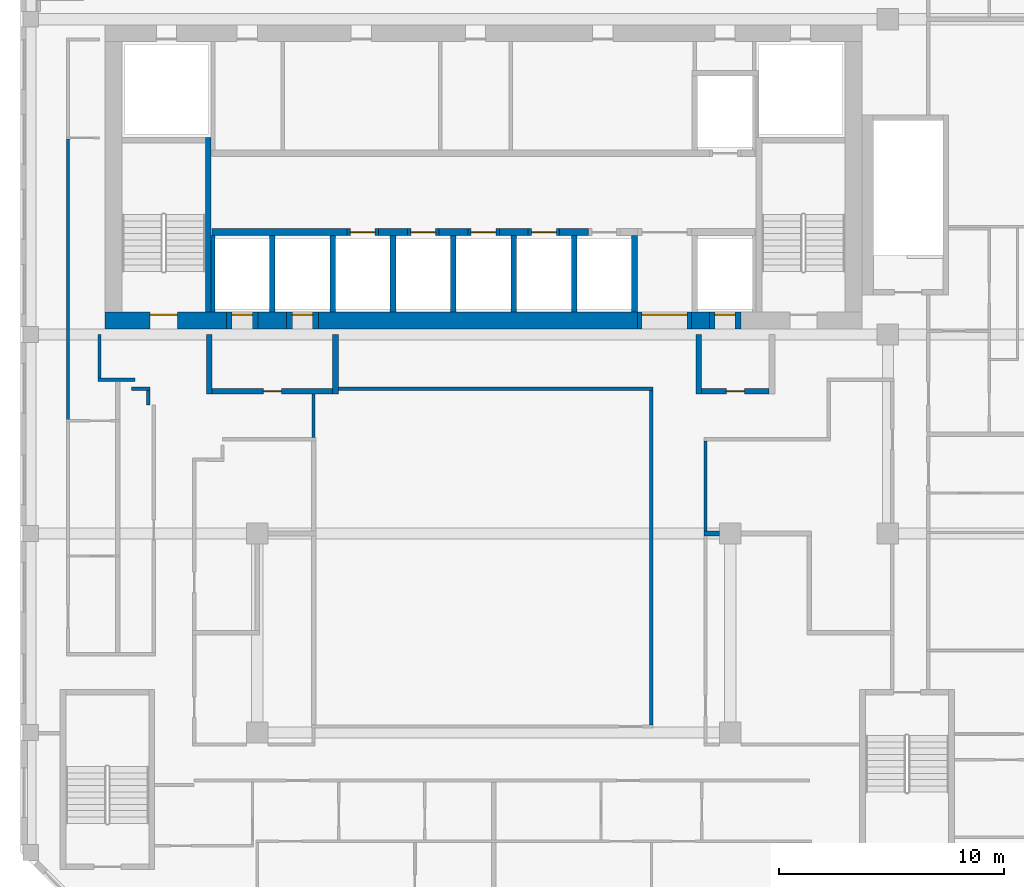
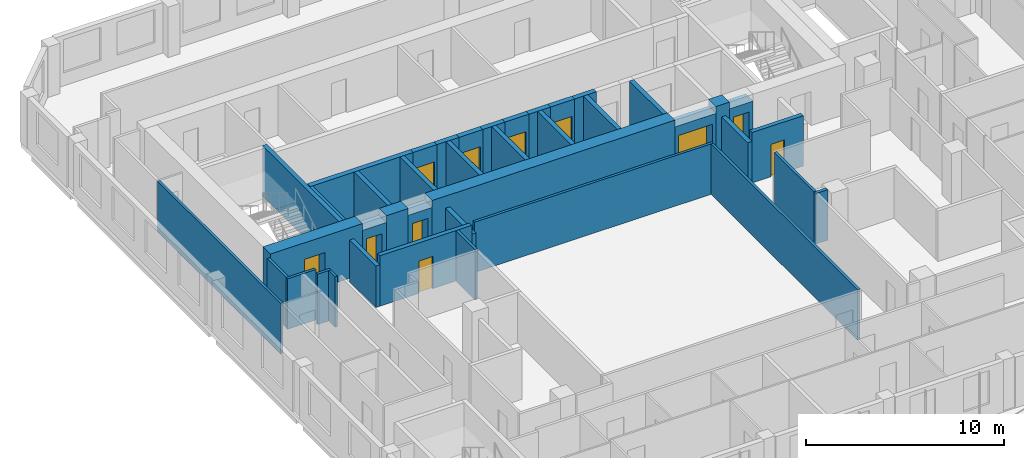
# One storey, part 4 of 18: 41 walls, 11 doors, 11 openings.
"""IFC4 building model written with IfcOpenShell, lengths in metres."""

from ifc_helpers import new_model, si_unit, direction, frame, frame_2d, origin, place, context, subcontext, project, spatial, rectangle, extrude, source, transform, mapped, material, layer, layer_set, type_object, element, fill, save


model = new_model("IFC4")

# Units and contexts
model_context = context("Model", 3, precision=1e-05, world=origin(), true_north=direction((0.0, 1.0)))
body_context = subcontext(model_context, "Body", "Model", "MODEL_VIEW")
ifc_project = project(units=[si_unit("LENGTHUNIT", "METRE"), si_unit("AREAUNIT", "SQUARE_METRE"), si_unit("VOLUMEUNIT", "CUBIC_METRE"), si_unit("PLANEANGLEUNIT", "RADIAN"), si_unit("MASSUNIT", "GRAM", prefix="KILO")], contexts=[model_context])

# Site, building, storey
site_placement = place(None, origin())
site = spatial("IfcSite", under=ifc_project, at=site_placement, CompositionType="ELEMENT")
building_placement = place(site_placement, origin())
building = spatial("IfcBuilding", under=site, at=building_placement, Name="Kilnfold Tower and Market Hall", CompositionType="ELEMENT")
storey_placement = place(building_placement, frame((0.0, 0.0, 256.0)))
storey = spatial("IfcBuildingStorey", under=building, at=storey_placement, Name="L62", CompositionType="ELEMENT", Elevation=256.0)

# Walls
ifc_material_1 = material(Name="Gypsum board on steel studs", Category="steel")
ifc_layer_1 = layer(ifc_material_1, 0.14990234375)
ifc_layer_set_1 = layer_set([ifc_layer_1], Name="Gypsum board on steel studs")
wall_type_1 = type_object("IfcWallType", Name="WALL CORRIDOR 150", PredefinedType="PARTITIONING", material=ifc_layer_set_1)
wall_1_placement = place(storey_placement, frame((-17.39990234375, 4.214111328125, 0.0), z_axis=(0.0, 0.0, 1.0), x_axis=(0.0, 1.0, 0.0)))
element("IfcWall", 1, at=wall_1_placement, inside=storey, type_object=wall_type_1, Name="Partition LY38.4", PredefinedType="PARTITIONING", context=body_context, shape_type="SweptSolid", body=[
    extrude(rectangle(XDim=12.476806640625, YDim=0.14990234375, at=frame_2d((6.23828125, 0.0))), origin(), (0.0, 0.0, 1.0), 3.1201171875),
])
wall_2_placement = place(storey_placement, frame((-16.074951171875, 6.0, 0.0), z_axis=(0.0, 0.0, 1.0), x_axis=(1.0, 0.0, 0.0)))
element("IfcWall", 2, at=wall_2_placement, inside=storey, type_object=wall_type_1, Name="Partition LY38.5", PredefinedType="PARTITIONING", context=body_context, shape_type="SweptSolid", body=[
    extrude(rectangle(XDim=1.64990234375, YDim=0.14990234375, at=frame_2d((0.824951171875, 0.0))), origin(), (0.0, 0.0, 1.0), 3.1201171875),
])
wall_3_placement = place(storey_placement, frame((-16.0, 6.074951171875, 0.0), z_axis=(0.0, 0.0, 1.0), x_axis=(0.0, 1.0, 0.0)))
element("IfcWall", 3, at=wall_3_placement, inside=storey, type_object=wall_type_1, Name="Partition LY38.6", PredefinedType="PARTITIONING", context=body_context, shape_type="SweptSolid", body=[
    extrude(rectangle(XDim=1.925048828125, YDim=0.14990234375, at=frame_2d((0.96240234375, 0.0))), origin(), (0.0, 0.0, 1.0), 3.1201171875),
])
wall_4_placement = place(storey_placement, frame((-13.843017578125, 5.52490234375, 0.0), z_axis=(0.0, 0.0, 1.0), x_axis=(0.0, -1.0, 0.0)))
element("IfcWall", 4, at=wall_4_placement, inside=storey, type_object=wall_type_1, Name="Partition LY38.29", PredefinedType="PARTITIONING", context=body_context, shape_type="SweptSolid", body=[
    extrude(rectangle(XDim=0.64599609375, YDim=0.14990234375, at=frame_2d((0.322998046875, 0.0))), origin(), (0.0, 0.0, 1.0), 3.1201171875),
])
wall_5_placement = place(storey_placement, frame((-14.574951171875, 5.60009765625, 0.0), z_axis=(0.0, 0.0, 1.0), x_axis=(1.0, 0.0, 0.0)))
element("IfcWall", 5, at=wall_5_placement, inside=storey, type_object=wall_type_1, Name="Partition LY38.30", PredefinedType="PARTITIONING", context=body_context, shape_type="SweptSolid", body=[
    extrude(rectangle(XDim=0.806884765625, YDim=0.14990234375, at=frame_2d((0.4033203125, 0.0))), origin(), (0.0, 0.0, 1.0), 3.1201171875),
])
wall_6_placement = place(storey_placement, frame((10.89990234375, -0.742919921875, 0.0), z_axis=(0.0, 0.0, 1.0), x_axis=(0.0, 1.0, 0.0)))
element("IfcWall", 6, at=wall_6_placement, inside=storey, type_object=wall_type_1, Name="Partition LY38.49", PredefinedType="PARTITIONING", context=body_context, shape_type="SweptSolid", body=[
    extrude(rectangle(XDim=4.017822265625, YDim=0.14990234375, at=frame_2d((2.0087890625, 0.0))), origin(), (0.0, 0.0, 1.0), 3.1201171875),
])
wall_7_placement = place(storey_placement, frame((-6.5, 3.425048828125, 0.0), z_axis=(0.0, 0.0, 1.0), x_axis=(0.0, 1.0, 0.0)))
element("IfcWall", 7, at=wall_7_placement, inside=storey, type_object=wall_type_1, Name="Partition LY38.50", PredefinedType="PARTITIONING", context=body_context, shape_type="SweptSolid", body=[
    extrude(rectangle(XDim=1.925048828125, YDim=0.14990234375, at=frame_2d((0.96240234375, 0.0))), origin(), (0.0, 0.0, 1.0), 3.1201171875),
])
wall_8_placement = place(storey_placement, frame((8.5, 5.52490234375, 0.0), z_axis=(0.0, 0.0, 1.0), x_axis=(0.0, -1.0, 0.0)))
element("IfcWall", 8, at=wall_8_placement, inside=storey, type_object=wall_type_1, Name="Partition LY38.52", PredefinedType="PARTITIONING", context=body_context, shape_type="SweptSolid", body=[
    extrude(rectangle(XDim=14.849853515625, YDim=0.14990234375, at=frame_2d((7.4248046875, 0.0))), origin(), (0.0, 0.0, 1.0), 3.1201171875),
])
wall_9_placement = place(storey_placement, frame((-5.39990234375, 5.60009765625, 0.0), z_axis=(0.0, 0.0, 1.0), x_axis=(1.0, 0.0, 0.0)))
element("IfcWall", 9, at=wall_9_placement, inside=storey, type_object=wall_type_1, Name="Partition LY38.53", PredefinedType="PARTITIONING", context=body_context, shape_type="SweptSolid", body=[
    extrude(rectangle(XDim=13.974853515625, YDim=0.14990234375, at=frame_2d((6.9873046875, 0.0))), origin(), (0.0, 0.0, 1.0), 3.1201171875),
])
ifc_material_2 = material(Name="Gypsum board on steel studs", Category="steel")
ifc_layer_2 = layer(ifc_material_2, 0.199951171875)
ifc_layer_set_2 = layer_set([ifc_layer_2], Name="Gypsum board on steel studs")
wall_type_2 = type_object("IfcWallType", Name="WALL PARTY 200", PredefinedType="PARTITIONING", material=ifc_layer_set_2)
wall_10_placement = place(storey_placement, frame((10.826904296875, -0.8330078125, 0.0), z_axis=(0.0, 0.0, 1.0), x_axis=(1.0, 0.0, 0.0)))
element("IfcWall", 10, at=wall_10_placement, inside=storey, type_object=wall_type_2, Name="Partition LY38.109", PredefinedType="PARTITIONING", context=body_context, shape_type="SweptSolid", body=[
    extrude(rectangle(XDim=0.697998046875, YDim=0.199951171875, at=frame_2d((0.34912109375, 0.0))), origin(), (0.0, 0.0, 1.0), 3.1201171875),
])
ifc_material_3 = material(Name="Concrete C60", Category="concrete")
ifc_layer_3 = layer(ifc_material_3, 0.25)
ifc_layer_set_3 = layer_set([ifc_layer_3], Name="Concrete C60")
wall_type_3 = type_object("IfcWallType", Name="CORE WALL 250 C60", PredefinedType="SHEAR", material=ifc_layer_set_3)
shared_shape_1 = source(origin(), body_context, "Body", "SweptSolid", [
    extrude(rectangle(XDim=7.75, YDim=0.25, at=frame_2d((3.875, 0.0))), origin(), (0.0, 0.0, 1.0), 3.1201171875),
])
wall_11_placement = place(storey_placement, frame((-11.175048828125, 9.0, 0.0), z_axis=(0.0, 0.0, 1.0), x_axis=(0.0, 1.0, 0.0)))
element("IfcWall", 11, at=wall_11_placement, inside=storey, type_object=wall_type_3, Name="Stair enclosure ST1", PredefinedType="SHEAR", context=body_context, shape_type="MappedRepresentation", body=[
    mapped(shared_shape_1, transform((0.0, 0.0, 0.0))),
])
ifc_material_4 = material(Name="Concrete C60", Category="concrete")
ifc_layer_4 = layer(ifc_material_4, 0.300048828125)
ifc_layer_set_4 = layer_set([ifc_layer_4], Name="Concrete C60")
wall_type_4 = type_object("IfcWallType", Name="CORE WALL 300 C60", PredefinedType="SHEAR", material=ifc_layer_set_4)
shared_shape_2 = source(origin(), body_context, "Body", "SweptSolid", [
    extrude(rectangle(XDim=6.0, YDim=0.300048828125, at=frame_2d((3.0, 0.0))), origin(), (0.0, 0.0, 1.0), 3.1201171875),
])
wall_12_placement = place(storey_placement, frame((-11.010009765625, 12.550048828125, 0.0), z_axis=(0.0, 0.0, 1.0), x_axis=(1.0, 0.0, 0.0)))
element("IfcWall", 12, at=wall_12_placement, inside=storey, type_object=wall_type_4, Name="Core spine wall", PredefinedType="SHEAR", context=body_context, shape_type="MappedRepresentation", body=[
    mapped(shared_shape_2, transform((0.0, 0.0, 0.0))),
])
shared_shape_3 = source(origin(), body_context, "Body", "SweptSolid", [
    extrude(rectangle(XDim=1.280029296875, YDim=0.300048828125, at=frame_2d((0.64013671875, 0.0))), origin(), (0.0, 0.0, 1.0), 3.1201171875),
])
for number, where, z_axis, x_axis, name in (
    (13, (-3.610107421875, 12.550048828125, 0.0), (0.0, 0.0, 1.0), (1.0, 0.0, 0.0), "Core spine wall"),
    (14, (-0.929931640625, 12.550048828125, 0.0), (0.0, 0.0, 1.0), (1.0, 0.0, 0.0), "Core spine wall"),
    (15, (1.75, 12.550048828125, 0.0), (0.0, 0.0, 1.0), (1.0, 0.0, 0.0), "Core spine wall"),
    (16, (4.429931640625, 12.550048828125, 0.0), (0.0, 0.0, 1.0), (1.0, 0.0, 0.0), "Core spine wall"),
):
    element("IfcWall", number, at=place(storey_placement, frame(where, z_axis=z_axis, x_axis=x_axis)), inside=storey, type_object=wall_type_4, Name=name, PredefinedType="SHEAR", context=body_context, shape_type="MappedRepresentation", body=[
        mapped(shared_shape_3, transform((0.0, 0.0, 0.0))),
    ])

# Wall, opening, door
ifc_material_5 = material(Name="Concrete C60", Category="concrete")
ifc_layer_5 = layer(ifc_material_5, 0.75)
ifc_layer_set_5 = layer_set([ifc_layer_5], Name="Concrete C60")
wall_type_5 = type_object("IfcWallType", Name="CORE WALL 750 C60", PredefinedType="SHEAR", material=ifc_layer_set_5)
shared_shape_4 = source(origin(), body_context, "Body", "SweptSolid", [
    extrude(rectangle(XDim=5.3798828125, YDim=0.75, at=frame_2d((2.68994140625, 0.0))), origin(), (0.0, 0.0, 1.0), 3.1201171875),
])
wall_13_placement = place(storey_placement, frame((-15.75, 8.625, 0.0), z_axis=(0.0, 0.0, 1.0), x_axis=(1.0, 0.0, 0.0)))
wall_13 = element("IfcWall", 17, at=wall_13_placement, inside=storey, type_object=wall_type_5, Name="Core outer wall south", PredefinedType="SHEAR", context=body_context, shape_type="MappedRepresentation", body=[
    mapped(shared_shape_4, transform((0.0, 0.0, 0.0))),
])
opening_1_placement = place(wall_13_placement, frame((2.0, 0.0, 0.0)))
opening_1 = element("IfcOpeningElement", 18, at=opening_1_placement, cuts=wall_13, Name="Opening SD1", PredefinedType="OPENING", context=body_context, shape_type="SweptSolid", body=[
    extrude(rectangle(XDim=1.199951171875, YDim=2.10009765625, at=frame_2d((0.60009765625, 1.050048828125))), frame((0.0, 0.385009765625, 0.0), z_axis=(0.0, -1.0, 0.0), x_axis=(1.0, 0.0, 0.0)), (0.0, 0.0, 1.0), 0.77001953125),
])
ifc_material_6 = material(Name="Steel door set with fire-resisting leaf", Category="steel")
door_type_1 = type_object("IfcDoorType", Name="STAIR FLOOR DOOR 1200X2100", OperationType="NOTDEFINED", PredefinedType="DOOR", material=ifc_material_6)
door_1_placement = place(opening_1_placement, origin())
door_1 = element("IfcDoor", 19, at=door_1_placement, inside=storey, type_object=door_type_1, Name="Exit stair ST1 door", OperationType="DOUBLE_DOOR_SINGLE_SWING", OverallHeight=2.10009765625, OverallWidth=1.199951171875, PredefinedType="DOOR", context=body_context, shape_type="SweptSolid", body=[
    extrude(rectangle(XDim=1.199951171875, YDim=2.10009765625, at=frame_2d((0.60009765625, 1.050048828125))), frame((0.0, 0.27978515625, 0.0), z_axis=(0.0, -1.0, 0.0), x_axis=(1.0, 0.0, 0.0)), (0.0, 0.0, 1.0), 0.050048828125),
])
fill(opening_1, door_1)

# Walls
shared_shape_5 = source(origin(), body_context, "Body", "SweptSolid", [
    extrude(rectangle(XDim=1.280029296875, YDim=0.75, at=frame_2d((0.64013671875, 0.0))), origin(), (0.0, 0.0, 1.0), 3.1201171875),
])
wall_14_placement = place(storey_placement, frame((-8.969970703125, 8.625, 0.0), z_axis=(0.0, 0.0, 1.0), x_axis=(1.0, 0.0, 0.0)))
element("IfcWall", 20, at=wall_14_placement, inside=storey, type_object=wall_type_5, Name="Core outer wall south", PredefinedType="SHEAR", context=body_context, shape_type="MappedRepresentation", body=[
    mapped(shared_shape_5, transform((0.0, 0.0, 0.0))),
])
shared_shape_6 = source(origin(), body_context, "Body", "SweptSolid", [
    extrude(rectangle(XDim=14.179931640625, YDim=0.75, at=frame_2d((7.08984375, 0.0))), origin(), (0.0, 0.0, 1.0), 3.1201171875),
])
wall_15_placement = place(storey_placement, frame((-6.2900390625, 8.625, 0.0), z_axis=(0.0, 0.0, 1.0), x_axis=(1.0, 0.0, 0.0)))
element("IfcWall", 21, at=wall_15_placement, inside=storey, type_object=wall_type_5, Name="Core outer wall south", PredefinedType="SHEAR", context=body_context, shape_type="MappedRepresentation", body=[
    mapped(shared_shape_6, transform((0.0, 0.0, 0.0))),
])
shared_shape_7 = source(origin(), body_context, "Body", "SweptSolid", [
    extrude(rectangle(XDim=0.780029296875, YDim=0.75, at=frame_2d((0.39013671875, 0.0))), origin(), (0.0, 0.0, 1.0), 3.1201171875),
])
wall_16_placement = place(storey_placement, frame((10.2900390625, 8.625, 0.0), z_axis=(0.0, 0.0, 1.0), x_axis=(1.0, 0.0, 0.0)))
element("IfcWall", 22, at=wall_16_placement, inside=storey, type_object=wall_type_5, Name="Core outer wall south", PredefinedType="SHEAR", context=body_context, shape_type="MappedRepresentation", body=[
    mapped(shared_shape_7, transform((0.0, 0.0, 0.0))),
])

# Wall, opening, door
ifc_material_7 = material(Name="Gypsum shaft wall system")
ifc_layer_6 = layer(ifc_material_7, 0.300048828125)
ifc_layer_set_6 = layer_set([ifc_layer_6], Name="Gypsum shaft wall system")
wall_type_6 = type_object("IfcWallType", Name="SHAFT WALL 300", PredefinedType="PARTITIONING", material=ifc_layer_set_6)
shared_shape_8 = source(origin(), body_context, "Body", "SweptSolid", [
    extrude(rectangle(XDim=1.39990234375, YDim=0.300048828125, at=frame_2d((0.699951171875, 0.0))), origin(), (0.0, 0.0, 1.0), 3.1201171875),
])
wall_17_placement = place(storey_placement, frame((-5.010009765625, 12.550048828125, 0.0), z_axis=(0.0, 0.0, 1.0), x_axis=(1.0, 0.0, 0.0)))
wall_17 = element("IfcWall", 23, at=wall_17_placement, inside=storey, type_object=wall_type_6, Name="Lift shaft front wall", PredefinedType="PARTITIONING", context=body_context, shape_type="MappedRepresentation", body=[
    mapped(shared_shape_8, transform((0.0, 0.0, 0.0))),
])
opening_2_placement = place(wall_17_placement, frame((0.14990234375, 0.0, 0.0)))
opening_2 = element("IfcOpeningElement", 24, at=opening_2_placement, cuts=wall_17, Name="Opening LD2", PredefinedType="OPENING", context=body_context, shape_type="SweptSolid", body=[
    extrude(rectangle(XDim=1.10009765625, YDim=2.10009765625, at=frame_2d((0.550048828125, 1.050048828125))), frame((0.0, 0.16015625, 0.0), z_axis=(0.0, -1.0, 0.0), x_axis=(1.0, 0.0, 0.0)), (0.0, 0.0, 1.0), 0.320068359375),
])
ifc_material_8 = material(Name="Steel door set with fire-resisting leaf", Category="steel")
door_type_2 = type_object("IfcDoorType", Name="LANDING DOOR 1100X2100", OperationType="NOTDEFINED", PredefinedType="DOOR", material=ifc_material_8)
door_2_placement = place(opening_2_placement, origin())
door_2 = element("IfcDoor", 25, at=door_2_placement, inside=storey, type_object=door_type_2, Name="Landing door HR1", OperationType="DOUBLE_DOOR_SLIDING", OverallHeight=2.10009765625, OverallWidth=1.10009765625, PredefinedType="DOOR", context=body_context, shape_type="SweptSolid", body=[
    extrude(rectangle(XDim=1.10009765625, YDim=2.10009765625, at=frame_2d((0.550048828125, 1.050048828125))), frame((0.0, 0.02490234375, 0.0), z_axis=(0.0, -1.0, 0.0), x_axis=(1.0, 0.0, 0.0)), (0.0, 0.0, 1.0), 0.050048828125),
])
fill(opening_2, door_2)

wall_18_placement = place(storey_placement, frame((0.35009765625, 12.550048828125, 0.0), z_axis=(0.0, 0.0, 1.0), x_axis=(1.0, 0.0, 0.0)))
wall_18 = element("IfcWall", 26, at=wall_18_placement, inside=storey, type_object=wall_type_6, Name="Lift shaft front wall", PredefinedType="PARTITIONING", context=body_context, shape_type="MappedRepresentation", body=[
    mapped(shared_shape_8, transform((0.0, 0.0, 0.0))),
])
opening_3_placement = place(wall_18_placement, frame((0.14990234375, 0.0, 0.0)))
opening_3 = element("IfcOpeningElement", 27, at=opening_3_placement, cuts=wall_18, Name="Opening LD2", PredefinedType="OPENING", context=body_context, shape_type="SweptSolid", body=[
    extrude(rectangle(XDim=1.10009765625, YDim=2.10009765625, at=frame_2d((0.550048828125, 1.050048828125))), frame((0.0, 0.16015625, 0.0), z_axis=(0.0, -1.0, 0.0), x_axis=(1.0, 0.0, 0.0)), (0.0, 0.0, 1.0), 0.320068359375),
])
door_3_placement = place(opening_3_placement, origin())
door_3 = element("IfcDoor", 28, at=door_3_placement, inside=storey, type_object=door_type_2, Name="Landing door HR3", OperationType="DOUBLE_DOOR_SLIDING", OverallHeight=2.10009765625, OverallWidth=1.10009765625, PredefinedType="DOOR", context=body_context, shape_type="SweptSolid", body=[
    extrude(rectangle(XDim=1.10009765625, YDim=2.10009765625, at=frame_2d((0.550048828125, 1.050048828125))), frame((0.0, 0.02490234375, 0.0), z_axis=(0.0, -1.0, 0.0), x_axis=(1.0, 0.0, 0.0)), (0.0, 0.0, 1.0), 0.050048828125),
])
fill(opening_3, door_3)

wall_19_placement = place(storey_placement, frame((3.030029296875, 12.550048828125, 0.0), z_axis=(0.0, 0.0, 1.0), x_axis=(1.0, 0.0, 0.0)))
wall_19 = element("IfcWall", 29, at=wall_19_placement, inside=storey, type_object=wall_type_6, Name="Lift shaft front wall", PredefinedType="PARTITIONING", context=body_context, shape_type="MappedRepresentation", body=[
    mapped(shared_shape_8, transform((0.0, 0.0, 0.0))),
])
opening_4_placement = place(wall_19_placement, frame((0.14990234375, 0.0, 0.0)))
opening_4 = element("IfcOpeningElement", 30, at=opening_4_placement, cuts=wall_19, Name="Opening LD2", PredefinedType="OPENING", context=body_context, shape_type="SweptSolid", body=[
    extrude(rectangle(XDim=1.10009765625, YDim=2.10009765625, at=frame_2d((0.550048828125, 1.050048828125))), frame((0.0, 0.16015625, 0.0), z_axis=(0.0, -1.0, 0.0), x_axis=(1.0, 0.0, 0.0)), (0.0, 0.0, 1.0), 0.320068359375),
])
door_4_placement = place(opening_4_placement, origin())
door_4 = element("IfcDoor", 31, at=door_4_placement, inside=storey, type_object=door_type_2, Name="Landing door HR4", OperationType="DOUBLE_DOOR_SLIDING", OverallHeight=2.10009765625, OverallWidth=1.10009765625, PredefinedType="DOOR", context=body_context, shape_type="SweptSolid", body=[
    extrude(rectangle(XDim=1.10009765625, YDim=2.10009765625, at=frame_2d((0.550048828125, 1.050048828125))), frame((0.0, 0.02490234375, 0.0), z_axis=(0.0, -1.0, 0.0), x_axis=(1.0, 0.0, 0.0)), (0.0, 0.0, 1.0), 0.050048828125),
])
fill(opening_4, door_4)

shared_shape_9 = source(origin(), body_context, "Body", "SweptSolid", [
    extrude(rectangle(XDim=1.400146484375, YDim=0.300048828125, at=frame_2d((0.7001953125, 0.0))), origin(), (0.0, 0.0, 1.0), 3.1201171875),
])
wall_20_placement = place(storey_placement, frame((-2.330078125, 12.550048828125, 0.0), z_axis=(0.0, 0.0, 1.0), x_axis=(1.0, 0.0, 0.0)))
wall_20 = element("IfcWall", 32, at=wall_20_placement, inside=storey, type_object=wall_type_6, Name="Lift shaft front wall", PredefinedType="PARTITIONING", context=body_context, shape_type="MappedRepresentation", body=[
    mapped(shared_shape_9, transform((0.0, 0.0, 0.0))),
])
opening_5_placement = place(wall_20_placement, frame((0.14990234375, 0.0, 0.0)))
opening_5 = element("IfcOpeningElement", 33, at=opening_5_placement, cuts=wall_20, Name="Opening LD2", PredefinedType="OPENING", context=body_context, shape_type="SweptSolid", body=[
    extrude(rectangle(XDim=1.10009765625, YDim=2.10009765625, at=frame_2d((0.550048828125, 1.050048828125))), frame((0.0, 0.16015625, 0.0), z_axis=(0.0, -1.0, 0.0), x_axis=(1.0, 0.0, 0.0)), (0.0, 0.0, 1.0), 0.320068359375),
])
door_5_placement = place(opening_5_placement, origin())
door_5 = element("IfcDoor", 34, at=door_5_placement, inside=storey, type_object=door_type_2, Name="Landing door HR2", OperationType="DOUBLE_DOOR_SLIDING", OverallHeight=2.10009765625, OverallWidth=1.10009765625, PredefinedType="DOOR", context=body_context, shape_type="SweptSolid", body=[
    extrude(rectangle(XDim=1.10009765625, YDim=2.10009765625, at=frame_2d((0.550048828125, 1.050048828125))), frame((0.0, 0.02490234375, 0.0), z_axis=(0.0, -1.0, 0.0), x_axis=(1.0, 0.0, 0.0)), (0.0, 0.0, 1.0), 0.050048828125),
])
fill(opening_5, door_5)

ifc_material_9 = material(Name="Gypsum shaft wall system")
ifc_layer_7 = layer(ifc_material_9, 0.25)
ifc_layer_set_7 = layer_set([ifc_layer_7], Name="Gypsum shaft wall system")
wall_type_7 = type_object("IfcWallType", Name="LOBBY WALL 250", PredefinedType="PARTITIONING", material=ifc_layer_set_7)
shared_shape_10 = source(origin(), body_context, "Body", "SweptSolid", [
    extrude(rectangle(XDim=5.360107421875, YDim=0.25, at=frame_2d((2.68017578125, 0.0))), origin(), (0.0, 0.0, 1.0), 3.1201171875),
])
wall_21_placement = place(storey_placement, frame((-11.010009765625, 5.47509765625, 0.0), z_axis=(0.0, 0.0, 1.0), x_axis=(1.0, 0.0, 0.0)))
wall_21 = element("IfcWall", 35, at=wall_21_placement, inside=storey, type_object=wall_type_7, Name="Firefighting lobby wall", PredefinedType="PARTITIONING", context=body_context, shape_type="MappedRepresentation", body=[
    mapped(shared_shape_10, transform((0.0, 0.0, 0.0))),
])
opening_6_placement = place(wall_21_placement, frame((2.280029296875, 0.0, 0.0)))
opening_6 = element("IfcOpeningElement", 36, at=opening_6_placement, cuts=wall_21, Name="Opening VD1", PredefinedType="OPENING", context=body_context, shape_type="SweptSolid", body=[
    extrude(rectangle(XDim=0.800048828125, YDim=2.0, at=frame_2d((0.39990234375, 1.0))), frame((0.0, 0.135009765625, 0.0), z_axis=(0.0, -1.0, 0.0), x_axis=(1.0, 0.0, 0.0)), (0.0, 0.0, 1.0), 0.27001953125),
])
ifc_material_10 = material(Name="Steel door set with fire-resisting leaf", Category="steel")
door_type_3 = type_object("IfcDoorType", Name="FIREFIGHTING LOBBY DOOR 800X2000", OperationType="NOTDEFINED", PredefinedType="DOOR", material=ifc_material_10)
door_6_placement = place(opening_6_placement, origin())
door_6 = element("IfcDoor", 37, at=door_6_placement, inside=storey, type_object=door_type_3, Name="Firefighting lobby door", OperationType="SINGLE_SWING_LEFT", OverallHeight=2.0, OverallWidth=0.800048828125, PredefinedType="DOOR", context=body_context, shape_type="SweptSolid", body=[
    extrude(rectangle(XDim=0.800048828125, YDim=2.0, at=frame_2d((0.39990234375, 1.0))), frame((0.0, 0.02490234375, 0.0), z_axis=(0.0, -1.0, 0.0), x_axis=(1.0, 0.0, 0.0)), (0.0, 0.0, 1.0), 0.050048828125),
])
fill(opening_6, door_6)

shared_shape_11 = source(origin(), body_context, "Body", "SweptSolid", [
    extrude(rectangle(XDim=3.0, YDim=0.25, at=frame_2d((1.5, 0.0))), origin(), (0.0, 0.0, 1.0), 3.1201171875),
])
wall_22_placement = place(storey_placement, frame((10.72998046875, 5.47509765625, 0.0), z_axis=(0.0, 0.0, 1.0), x_axis=(1.0, 0.0, 0.0)))
wall_22 = element("IfcWall", 38, at=wall_22_placement, inside=storey, type_object=wall_type_7, Name="Firefighting lobby wall", PredefinedType="PARTITIONING", context=body_context, shape_type="MappedRepresentation", body=[
    mapped(shared_shape_11, transform((0.0, 0.0, 0.0))),
])
opening_7_placement = place(wall_22_placement, frame((1.10009765625, 0.0, 0.0)))
opening_7 = element("IfcOpeningElement", 39, at=opening_7_placement, cuts=wall_22, Name="Opening VD1", PredefinedType="OPENING", context=body_context, shape_type="SweptSolid", body=[
    extrude(rectangle(XDim=0.800048828125, YDim=2.0, at=frame_2d((0.39990234375, 1.0))), frame((0.0, 0.135009765625, 0.0), z_axis=(0.0, -1.0, 0.0), x_axis=(1.0, 0.0, 0.0)), (0.0, 0.0, 1.0), 0.27001953125),
])
door_7_placement = place(opening_7_placement, origin())
door_7 = element("IfcDoor", 40, at=door_7_placement, inside=storey, type_object=door_type_3, Name="Firefighting lobby door", OperationType="SINGLE_SWING_RIGHT", OverallHeight=2.0, OverallWidth=0.800048828125, PredefinedType="DOOR", context=body_context, shape_type="SweptSolid", body=[
    extrude(rectangle(XDim=0.800048828125, YDim=2.0, at=frame_2d((0.39990234375, 1.0))), frame((0.0, 0.02490234375, 0.0), z_axis=(0.0, -1.0, 0.0), x_axis=(1.0, 0.0, 0.0)), (0.0, 0.0, 1.0), 0.050048828125),
])
fill(opening_7, door_7)

# Walls
ifc_material_11 = material(Name="Gypsum shaft wall system")
ifc_layer_8 = layer(ifc_material_11, 0.25)
ifc_layer_set_8 = layer_set([ifc_layer_8], Name="Gypsum shaft wall system")
wall_type_8 = type_object("IfcWallType", Name="SHAFT WALL 250", PredefinedType="PARTITIONING", material=ifc_layer_set_8)
shared_shape_12 = source(origin(), body_context, "Body", "SweptSolid", [
    extrude(rectangle(XDim=3.39990234375, YDim=0.25, at=frame_2d((1.699951171875, 0.0))), origin(), (0.0, 0.0, 1.0), 3.1201171875),
])
for number, where, z_axis, x_axis, name in (
    (41, (2.389892578125, 9.0, 0.0), (0.0, 0.0, 1.0), (0.0, 1.0, 0.0), "Lift shaft wall"),
    (42, (5.070068359375, 9.0, 0.0), (0.0, 0.0, 1.0), (0.0, 1.0, 0.0), "Lift shaft wall"),
    (43, (7.75, 9.0, 0.0), (0.0, 0.0, 1.0), (0.0, 1.0, 0.0), "Lift shaft wall"),
    (44, (-0.2900390625, 9.0, 0.0), (0.0, 0.0, 1.0), (0.0, 1.0, 0.0), "Lift shaft wall"),
    (45, (-2.969970703125, 9.0, 0.0), (0.0, 0.0, 1.0), (0.0, 1.0, 0.0), "Lift shaft wall"),
    (46, (-5.64990234375, 9.0, 0.0), (0.0, 0.0, 1.0), (0.0, 1.0, 0.0), "Lift shaft wall"),
    (47, (-8.330078125, 9.0, 0.0), (0.0, 0.0, 1.0), (0.0, 1.0, 0.0), "Lift shaft wall"),
):
    element("IfcWall", number, at=place(storey_placement, frame(where, z_axis=z_axis, x_axis=x_axis)), inside=storey, type_object=wall_type_8, Name=name, PredefinedType="PARTITIONING", context=body_context, shape_type="MappedRepresentation", body=[
        mapped(shared_shape_12, transform((0.0, 0.0, 0.0))),
    ])
ifc_material_12 = material(Name="Gypsum shaft wall system")
ifc_layer_9 = layer(ifc_material_12, 0.1650390625)
ifc_layer_set_9 = layer_set([ifc_layer_9], Name="Gypsum shaft wall system")
wall_type_9 = type_object("IfcWallType", Name="SHAFT WALL 165", PredefinedType="PARTITIONING", material=ifc_layer_set_9)
shared_shape_13 = source(origin(), body_context, "Body", "SweptSolid", [
    extrude(rectangle(XDim=3.39990234375, YDim=0.1650390625, at=frame_2d((1.699951171875, 0.0))), origin(), (0.0, 0.0, 1.0), 3.1201171875),
])
wall_23_placement = place(storey_placement, frame((-10.967529296875, 9.0, 0.0), z_axis=(0.0, 0.0, 1.0), x_axis=(0.0, 1.0, 0.0)))
element("IfcWall", 48, at=wall_23_placement, inside=storey, type_object=wall_type_9, Name="Lift shaft wall", PredefinedType="PARTITIONING", context=body_context, shape_type="MappedRepresentation", body=[
    mapped(shared_shape_13, transform((0.0, 0.0, 0.0))),
])

# Wall, opening, door
ifc_material_13 = material(Name="Gypsum shaft wall system")
ifc_layer_10 = layer(ifc_material_13, 0.75)
ifc_layer_set_10 = layer_set([ifc_layer_10], Name="Gypsum shaft wall system")
wall_type_10 = type_object("IfcWallType", Name="LOBBY WALL 750", PredefinedType="PARTITIONING", material=ifc_layer_set_10)
shared_shape_14 = source(origin(), body_context, "Body", "SweptSolid", [
    extrude(rectangle(XDim=1.400146484375, YDim=0.75, at=frame_2d((0.7001953125, 0.0))), origin(), (0.0, 0.0, 1.0), 2.699951171875),
])
wall_24_placement = place(storey_placement, frame((-10.3701171875, 8.625, 0.0), z_axis=(0.0, 0.0, 1.0), x_axis=(1.0, 0.0, 0.0)))
wall_24 = element("IfcWall", 49, at=wall_24_placement, inside=storey, type_object=wall_type_10, Name="Core wall infill", PredefinedType="PARTITIONING", context=body_context, shape_type="MappedRepresentation", body=[
    mapped(shared_shape_14, transform((0.0, 0.0, 0.0))),
])
opening_8_placement = place(wall_24_placement, frame((0.25, 0.0, 0.0)))
opening_8 = element("IfcOpeningElement", 50, at=opening_8_placement, cuts=wall_24, Name="Opening LD1", PredefinedType="OPENING", context=body_context, shape_type="SweptSolid", body=[
    extrude(rectangle(XDim=0.89990234375, YDim=2.10009765625, at=frame_2d((0.449951171875, 1.050048828125))), frame((0.0, 0.385009765625, 0.0), z_axis=(0.0, -1.0, 0.0), x_axis=(1.0, 0.0, 0.0)), (0.0, 0.0, 1.0), 0.77001953125),
])
ifc_material_14 = material(Name="Steel door set with fire-resisting leaf", Category="steel")
door_type_4 = type_object("IfcDoorType", Name="FIREFIGHTING LANDING DOOR 900X2100", OperationType="NOTDEFINED", PredefinedType="DOOR", material=ifc_material_14)
door_8_placement = place(opening_8_placement, origin())
door_8 = element("IfcDoor", 51, at=door_8_placement, inside=storey, type_object=door_type_4, Name="Landing door FF1", OperationType="SLIDING_TO_LEFT", OverallHeight=2.10009765625, OverallWidth=0.89990234375, PredefinedType="DOOR", context=body_context, shape_type="SweptSolid", body=[
    extrude(rectangle(XDim=0.89990234375, YDim=2.10009765625, at=frame_2d((0.449951171875, 1.050048828125))), frame((0.0, 0.27978515625, 0.0), z_axis=(0.0, -1.0, 0.0), x_axis=(1.0, 0.0, 0.0)), (0.0, 0.0, 1.0), 0.050048828125),
])
fill(opening_8, door_8)

shared_shape_15 = source(origin(), body_context, "Body", "SweptSolid", [
    extrude(rectangle(XDim=1.39990234375, YDim=0.75, at=frame_2d((0.699951171875, 0.0))), origin(), (0.0, 0.0, 1.0), 2.699951171875),
])
wall_25_placement = place(storey_placement, frame((-7.68994140625, 8.625, 0.0), z_axis=(0.0, 0.0, 1.0), x_axis=(1.0, 0.0, 0.0)))
wall_25 = element("IfcWall", 52, at=wall_25_placement, inside=storey, type_object=wall_type_10, Name="Core wall infill", PredefinedType="PARTITIONING", context=body_context, shape_type="MappedRepresentation", body=[
    mapped(shared_shape_15, transform((0.0, 0.0, 0.0))),
])
opening_9_placement = place(wall_25_placement, frame((0.25, 0.0, 0.0)))
opening_9 = element("IfcOpeningElement", 53, at=opening_9_placement, cuts=wall_25, Name="Opening LD1", PredefinedType="OPENING", context=body_context, shape_type="SweptSolid", body=[
    extrude(rectangle(XDim=0.89990234375, YDim=2.10009765625, at=frame_2d((0.449951171875, 1.050048828125))), frame((0.0, 0.385009765625, 0.0), z_axis=(0.0, -1.0, 0.0), x_axis=(1.0, 0.0, 0.0)), (0.0, 0.0, 1.0), 0.77001953125),
])
door_9_placement = place(opening_9_placement, origin())
door_9 = element("IfcDoor", 54, at=door_9_placement, inside=storey, type_object=door_type_4, Name="Landing door FF2", OperationType="SLIDING_TO_RIGHT", OverallHeight=2.10009765625, OverallWidth=0.89990234375, PredefinedType="DOOR", context=body_context, shape_type="SweptSolid", body=[
    extrude(rectangle(XDim=0.89990234375, YDim=2.10009765625, at=frame_2d((0.449951171875, 1.050048828125))), frame((0.0, 0.27978515625, 0.0), z_axis=(0.0, -1.0, 0.0), x_axis=(1.0, 0.0, 0.0)), (0.0, 0.0, 1.0), 0.050048828125),
])
fill(opening_9, door_9)

wall_26_placement = place(storey_placement, frame((11.070068359375, 8.625, 0.0), z_axis=(0.0, 0.0, 1.0), x_axis=(1.0, 0.0, 0.0)))
wall_26 = element("IfcWall", 55, at=wall_26_placement, inside=storey, type_object=wall_type_10, Name="Core wall infill", PredefinedType="PARTITIONING", context=body_context, shape_type="MappedRepresentation", body=[
    mapped(shared_shape_15, transform((0.0, 0.0, 0.0))),
])
opening_10_placement = place(wall_26_placement, frame((0.25, 0.0, 0.0)))
opening_10 = element("IfcOpeningElement", 56, at=opening_10_placement, cuts=wall_26, Name="Opening LD1", PredefinedType="OPENING", context=body_context, shape_type="SweptSolid", body=[
    extrude(rectangle(XDim=0.89990234375, YDim=2.10009765625, at=frame_2d((0.449951171875, 1.050048828125))), frame((0.0, 0.385009765625, 0.0), z_axis=(0.0, -1.0, 0.0), x_axis=(1.0, 0.0, 0.0)), (0.0, 0.0, 1.0), 0.77001953125),
])
door_10_placement = place(opening_10_placement, origin())
door_10 = element("IfcDoor", 57, at=door_10_placement, inside=storey, type_object=door_type_4, Name="Landing door FF3", OperationType="SLIDING_TO_LEFT", OverallHeight=2.10009765625, OverallWidth=0.89990234375, PredefinedType="DOOR", context=body_context, shape_type="SweptSolid", body=[
    extrude(rectangle(XDim=0.89990234375, YDim=2.10009765625, at=frame_2d((0.449951171875, 1.050048828125))), frame((0.0, 0.27978515625, 0.0), z_axis=(0.0, -1.0, 0.0), x_axis=(1.0, 0.0, 0.0)), (0.0, 0.0, 1.0), 0.050048828125),
])
fill(opening_10, door_10)

shared_shape_16 = source(origin(), body_context, "Body", "SweptSolid", [
    extrude(rectangle(XDim=2.400146484375, YDim=0.75, at=frame_2d((1.2001953125, 0.0))), origin(), (0.0, 0.0, 1.0), 2.699951171875),
])
wall_27_placement = place(storey_placement, frame((7.889892578125, 8.625, 0.0), z_axis=(0.0, 0.0, 1.0), x_axis=(1.0, 0.0, 0.0)))
wall_27 = element("IfcWall", 58, at=wall_27_placement, inside=storey, type_object=wall_type_10, Name="Core wall infill", PredefinedType="PARTITIONING", context=body_context, shape_type="MappedRepresentation", body=[
    mapped(shared_shape_16, transform((0.0, 0.0, 0.0))),
])
opening_11_placement = place(wall_27_placement, frame((0.199951171875, 0.0, 0.0)))
opening_11 = element("IfcOpeningElement", 59, at=opening_11_placement, cuts=wall_27, Name="Opening VD2", PredefinedType="OPENING", context=body_context, shape_type="SweptSolid", body=[
    extrude(rectangle(XDim=2.0, YDim=2.10009765625, at=frame_2d((1.0, 1.050048828125))), frame((0.0, 0.385009765625, 0.0), z_axis=(0.0, -1.0, 0.0), x_axis=(1.0, 0.0, 0.0)), (0.0, 0.0, 1.0), 0.77001953125),
])
ifc_material_15 = material(Name="Steel door set with fire-resisting leaf", Category="steel")
door_type_5 = type_object("IfcDoorType", Name="LIFT LOBBY ENTRANCE DOOR 2000X2100", OperationType="NOTDEFINED", PredefinedType="DOOR", material=ifc_material_15)
door_11_placement = place(opening_11_placement, origin())
door_11 = element("IfcDoor", 60, at=door_11_placement, inside=storey, type_object=door_type_5, Name="Lift lobby entrance door", OperationType="DOUBLE_DOOR_SINGLE_SWING", OverallHeight=2.10009765625, OverallWidth=2.0, PredefinedType="DOOR", context=body_context, shape_type="SweptSolid", body=[
    extrude(rectangle(XDim=2.0, YDim=2.10009765625, at=frame_2d((1.0, 1.050048828125))), frame((0.0, 0.27978515625, 0.0), z_axis=(0.0, -1.0, 0.0), x_axis=(1.0, 0.0, 0.0)), (0.0, 0.0, 1.0), 0.050048828125),
])
fill(opening_11, door_11)

# Walls
shared_shape_17 = source(origin(), body_context, "Body", "SweptSolid", [
    extrude(rectangle(XDim=2.64990234375, YDim=0.25, at=frame_2d((1.324951171875, 0.0))), origin(), (0.0, 0.0, 1.0), 2.570068359375),
])
for number, where, z_axis, x_axis, name in (
    (61, (-11.135009765625, 5.35009765625, 0.0), (0.0, 0.0, 1.0), (0.0, 1.0, 0.0), "Firefighting lobby wall"),
    (62, (-5.52490234375, 5.35009765625, 0.0), (0.0, 0.0, 1.0), (0.0, 1.0, 0.0), "Firefighting lobby wall"),
    (63, (10.60498046875, 5.35009765625, 0.0), (0.0, 0.0, 1.0), (0.0, 1.0, 0.0), "Firefighting lobby wall"),
):
    element("IfcWall", number, at=place(storey_placement, frame(where, z_axis=z_axis, x_axis=x_axis)), inside=storey, type_object=wall_type_7, Name=name, PredefinedType="PARTITIONING", context=body_context, shape_type="MappedRepresentation", body=[
        mapped(shared_shape_17, transform((0.0, 0.0, 0.0))),
    ])

save(model, "model.ifc")
